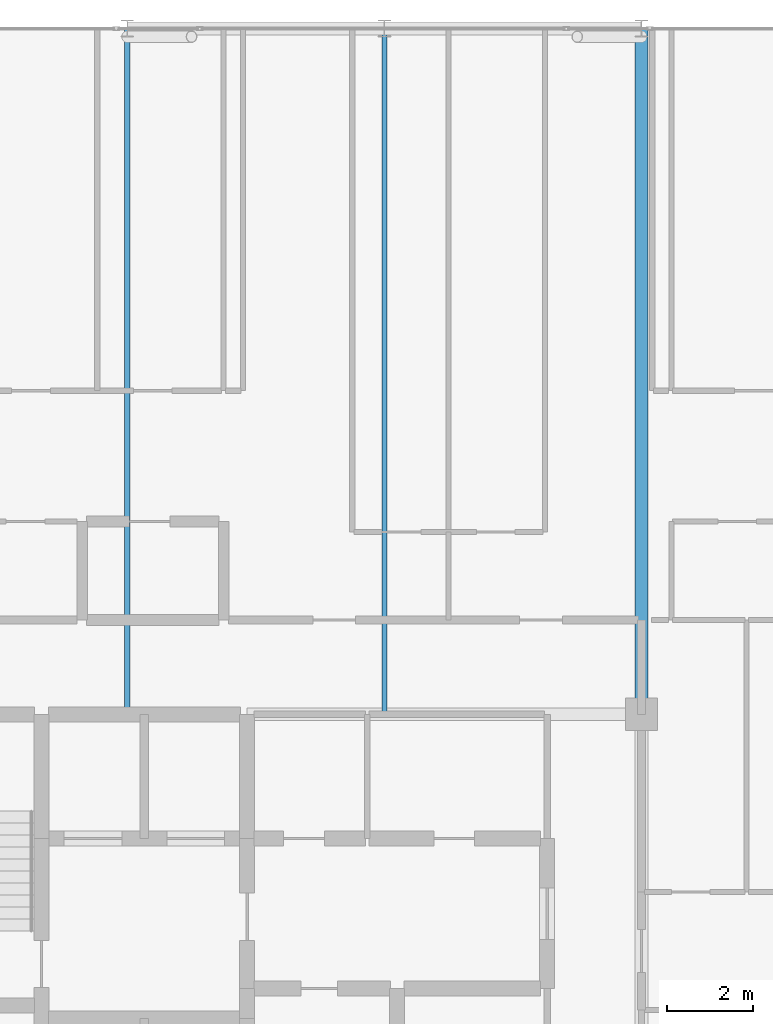
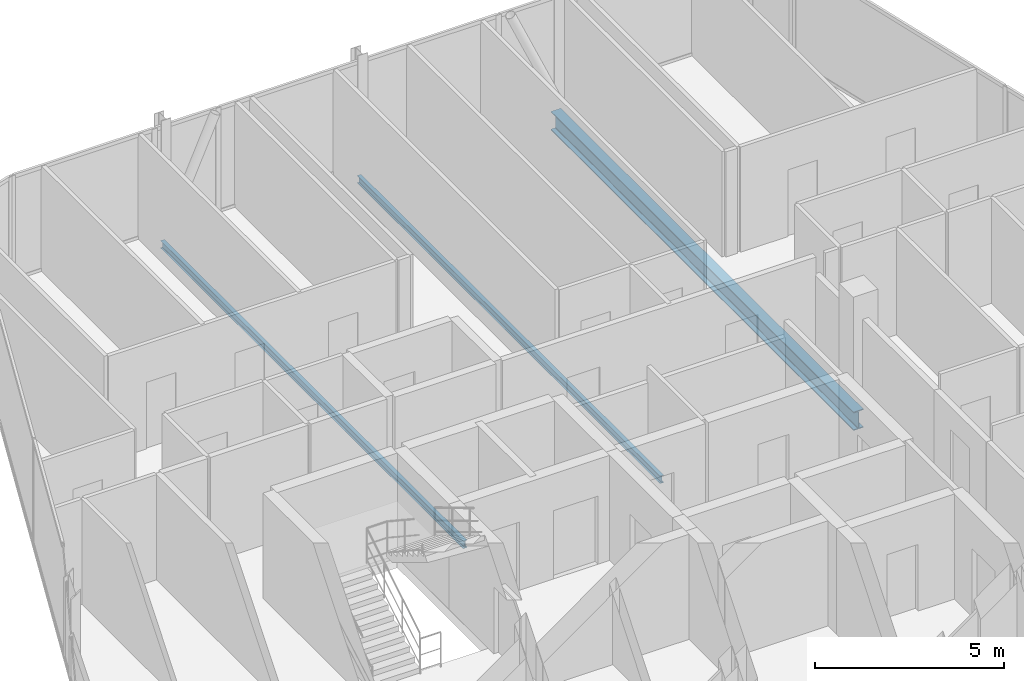
# One storey, part 16 of 27: 3 beams.
"""IFC4 building model written with IfcOpenShell, lengths in metres."""

from ifc_helpers import new_model, si_unit, direction, frame, origin, origin_2d, place, context, subcontext, project, spatial, i_section, extrude, material, material_profile, profile_set, type_object, element, save


model = new_model("IFC4")

# Units and contexts
model_context = context("Model", 3, precision=1e-05, world=origin(), true_north=direction((0.0, 1.0)))
body_context = subcontext(model_context, "Body", "Model", "MODEL_VIEW")
ifc_project = project(units=[si_unit("LENGTHUNIT", "METRE"), si_unit("AREAUNIT", "SQUARE_METRE"), si_unit("VOLUMEUNIT", "CUBIC_METRE"), si_unit("PLANEANGLEUNIT", "RADIAN"), si_unit("MASSUNIT", "GRAM", prefix="KILO")], contexts=[model_context])

# Site, building, storey
site_placement = place(None, origin())
site = spatial("IfcSite", under=ifc_project, at=site_placement, CompositionType="ELEMENT")
building_placement = place(site_placement, origin())
building = spatial("IfcBuilding", under=site, at=building_placement, Name="Keshet Zoharim Tower", CompositionType="ELEMENT")
storey_placement = place(building_placement, frame((0.0, 0.0, 269.5)))
storey = spatial("IfcBuildingStorey", under=building, at=storey_placement, Name="L67", CompositionType="ELEMENT", Elevation=269.5)

# Beams
ifc_material = material(Name="Steel S355", Category="steel")
ifc_material_profile_1 = material_profile(ifc_material, i_section(OverallWidth=0.1201171875, OverallDepth=0.239990234375, WebThickness=0.006103515625, FlangeThickness=0.009765625, FilletRadius=0.014892578125, at=origin_2d()), Name="IPE240")
ifc_profile_set_1 = profile_set([ifc_material_profile_1], Name="Steel S355")
beam_type_1 = type_object("IfcBeamType", Name="BM-JST-IP240", PredefinedType="JOIST", material=ifc_profile_set_1)
for number, where, z_axis, x_axis, name in (
    (1, (21.0, 37.89990234375, -0.429931640625), (0.0, 1.0, 0.0), (-1.0, 0.0, 0.0), "L67 Secondary Floor Joist J-001"),
    (2, (27.0, 37.89990234375, -0.429931640625), (0.0, 1.0, 0.0), (-1.0, 0.0, 0.0), "L67 Secondary Floor Joist J-002"),
):
    element("IfcBeam", number, at=place(storey_placement, frame(where, z_axis=z_axis, x_axis=x_axis)), inside=storey, type_object=beam_type_1, Name=name, PredefinedType="JOIST", context=body_context, shape_type="SweptSolid", body=[
        extrude(i_section(OverallWidth=0.1201171875, OverallDepth=0.239990234375, WebThickness=0.006103515625, FlangeThickness=0.009765625, FilletRadius=0.014892578125, at=origin_2d()), origin(), (0.0, 0.0, 1.0), 16.0),
    ])
ifc_material_profile_2 = material_profile(ifc_material, i_section(OverallWidth=0.300048828125, OverallDepth=0.60009765625, WebThickness=0.015380859375, FlangeThickness=0.030029296875, FilletRadius=0.027099609375, at=origin_2d()), Name="HEB600")
ifc_profile_set_2 = profile_set([ifc_material_profile_2], Name="Steel S355")
beam_type_2 = type_object("IfcBeamType", Name="BM-LNG-HB600", PredefinedType="BEAM", material=ifc_profile_set_2)
beam_placement = place(storey_placement, frame((33.0, 37.89990234375, -0.610107421875), z_axis=(0.0, 1.0, 0.0), x_axis=(-1.0, 0.0, 0.0)))
element("IfcBeam", 3, at=beam_placement, inside=storey, type_object=beam_type_2, Name="L67 Primary Girder Y-009", PredefinedType="BEAM", context=body_context, shape_type="SweptSolid", body=[
    extrude(i_section(OverallWidth=0.300048828125, OverallDepth=0.60009765625, WebThickness=0.015380859375, FlangeThickness=0.030029296875, FilletRadius=0.027099609375, at=origin_2d()), origin(), (0.0, 0.0, 1.0), 16.0),
])

save(model, "model.ifc")
